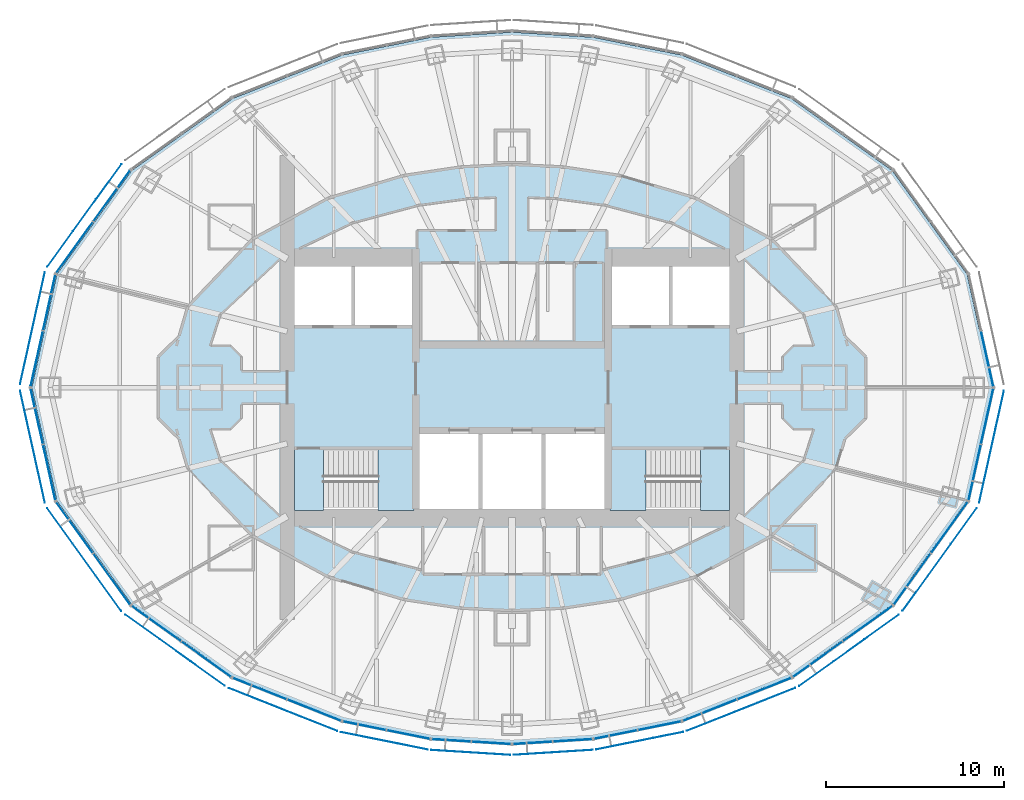
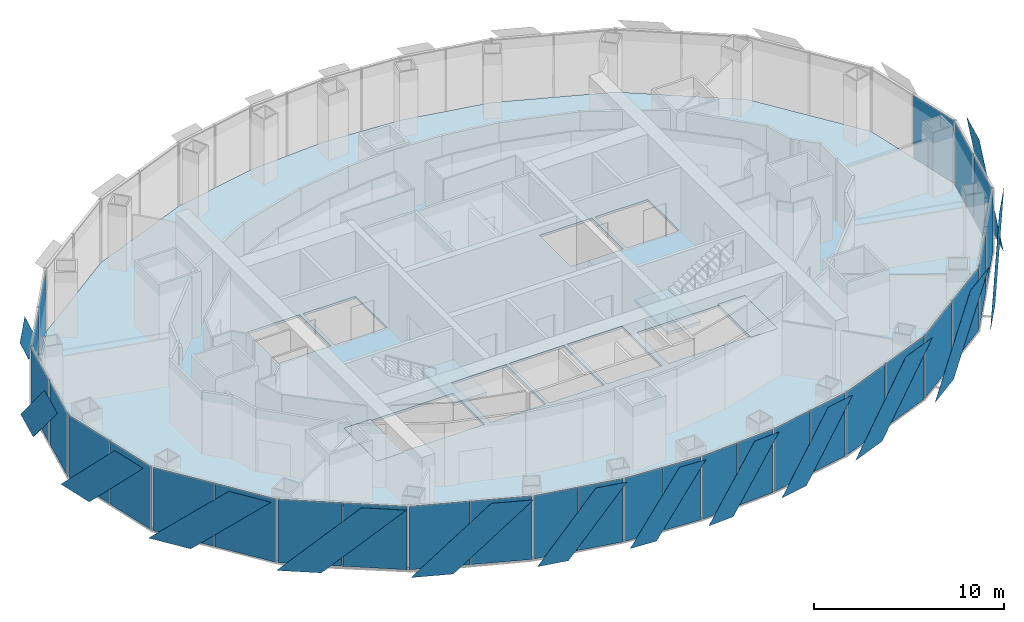
# One storey, part 10 of 17: 43 plates, 5 slabs, 17 elements without a shape of their own.
"""IFC4 building model written with IfcOpenShell, lengths in metres."""

from ifc_helpers import new_model, si_unit, direction, frame, origin, origin_2d, place, context, subcontext, project, spatial, polyline, rectangle, outline, extrude, material, layer, layer_set, type_object, element, aggregate, save


model = new_model("IFC4")

# Units and contexts
model_context = context("Model", 3, precision=1e-05, world=origin(), true_north=direction((0.0, 1.0)))
body_context = subcontext(model_context, "Body", "Model", "MODEL_VIEW")
ifc_project = project(units=[si_unit("LENGTHUNIT", "METRE"), si_unit("AREAUNIT", "SQUARE_METRE"), si_unit("VOLUMEUNIT", "CUBIC_METRE"), si_unit("PLANEANGLEUNIT", "RADIAN"), si_unit("MASSUNIT", "GRAM", prefix="KILO")], contexts=[model_context])

# Site, building, storey
site_placement = place(None, origin())
site = spatial("IfcSite", under=ifc_project, at=site_placement, CompositionType="ELEMENT")
building_placement = place(site_placement, origin())
building = spatial("IfcBuilding", under=site, at=building_placement, Name="Lantaw Convention Tower", CompositionType="ELEMENT")
storey_placement = place(building_placement, frame((0.0, 0.0, 207.39990234375)))
storey = spatial("IfcBuildingStorey", under=building, at=storey_placement, Name="L48", CompositionType="ELEMENT", Elevation=207.39990234375)

# Curtain wall, plate
ifc_material_1 = material(Name="Aluminium framed curtain wall", Category="aluminium")
curtain_wall_type = type_object("IfcCurtainWallType", Name="Office curtain wall high rise, pale aluminium", PredefinedType="USERDEFINED", material=ifc_material_1)
curtain_wall_1_placement = place(storey_placement, origin())
curtain_wall_1 = element("IfcCurtainWall", 1, at=curtain_wall_1_placement, inside=storey, type_object=curtain_wall_type, Name="Office curtain wall high rise, pale aluminium L48", ObjectType="UNITISED CURTAIN WALL", PredefinedType="USERDEFINED")
ifc_material_2 = material(Name="Clear insulating glass", Category="glass")
ifc_layer_1 = layer(ifc_material_2, 0.028076171875)
ifc_layer_set_1 = layer_set([ifc_layer_1], Name="CW-O2 panel 28")
plate_type_1 = type_object("IfcPlateType", Name="CW-O2 panel 28", PredefinedType="CURTAIN_PANEL", material=ifc_layer_set_1)
plate_1_placement = place(storey_placement, frame((26.643798828125, 1.61083984375, -0.0849609375), z_axis=(0.0, 0.0, 1.0), x_axis=(-0.215891333626, 0.976417396437, 0.0)))
plate_1 = element("IfcPlate", 2, at=plate_1_placement, type_object=plate_type_1, Name="CW-O2 panel 1.1", PredefinedType="CURTAIN_PANEL", context=body_context, shape_type="SweptSolid", body=[
    extrude(rectangle(XDim=3.169677734375, YDim=0.028076171875, at=origin_2d()), origin(), (0.0, 0.0, 1.0), 4.070068359375),
])
aggregate(curtain_wall_1, [plate_1])

# Curtain wall, plates
curtain_wall_2_placement = place(storey_placement, origin())
curtain_wall_2 = element("IfcCurtainWall", 3, at=curtain_wall_2_placement, inside=storey, type_object=curtain_wall_type, Name="Office curtain wall high rise, pale aluminium L48", ObjectType="UNITISED CURTAIN WALL", PredefinedType="USERDEFINED")
plate_2_placement = place(storey_placement, frame((-22.4404296875, 10.743896484375, -0.0849609375), z_axis=(0.0, 0.0, 1.0), x_axis=(-0.585157643865, -0.810919559405, 0.0)))
plate_2 = element("IfcPlate", 4, at=plate_2_placement, type_object=plate_type_1, Name="CW-O2 panel 1.1", PredefinedType="CURTAIN_PANEL", context=body_context, shape_type="SweptSolid", body=[
    extrude(rectangle(XDim=3.500732421875, YDim=0.028076171875, at=origin_2d()), origin(), (0.0, 0.0, 1.0), 4.070068359375),
])
plate_3_placement = place(storey_placement, frame((-24.527099609375, 7.852294921875, -0.0849609375), z_axis=(0.0, 0.0, 1.0), x_axis=(-0.585157643865, -0.810919559405, 0.0)))
plate_3 = element("IfcPlate", 5, at=plate_3_placement, type_object=plate_type_1, Name="CW-O2 panel 2.1", PredefinedType="CURTAIN_PANEL", context=body_context, shape_type="SweptSolid", body=[
    extrude(rectangle(XDim=3.500732421875, YDim=0.028076171875, at=origin_2d()), origin(), (0.0, 0.0, 1.0), 4.070068359375),
])
aggregate(curtain_wall_2, [plate_2, plate_3])

curtain_wall_3_placement = place(storey_placement, origin())
curtain_wall_3 = element("IfcCurtainWall", 6, at=curtain_wall_3_placement, inside=storey, type_object=curtain_wall_type, Name="Office curtain wall high rise, pale aluminium L48", ObjectType="UNITISED CURTAIN WALL", PredefinedType="USERDEFINED")
plate_4_placement = place(storey_placement, frame((-25.945556640625, 4.769287109375, -0.0849609375), z_axis=(0.0, 0.0, 1.0), x_axis=(-0.215891333626, -0.976417396437, 0.0)))
plate_4 = element("IfcPlate", 7, at=plate_4_placement, type_object=plate_type_1, Name="CW-O2 panel 1.1", PredefinedType="CURTAIN_PANEL", context=body_context, shape_type="SweptSolid", body=[
    extrude(rectangle(XDim=3.169677734375, YDim=0.028076171875, at=origin_2d()), origin(), (0.0, 0.0, 1.0), 4.070068359375),
])
plate_5_placement = place(storey_placement, frame((-26.643798828125, 1.61083984375, -0.0849609375), z_axis=(0.0, 0.0, 1.0), x_axis=(-0.215891333626, -0.976417396437, 0.0)))
plate_5 = element("IfcPlate", 8, at=plate_5_placement, type_object=plate_type_1, Name="CW-O2 panel 2.1", PredefinedType="CURTAIN_PANEL", context=body_context, shape_type="SweptSolid", body=[
    extrude(rectangle(XDim=3.169677734375, YDim=0.028076171875, at=origin_2d()), origin(), (0.0, 0.0, 1.0), 4.070068359375),
])
aggregate(curtain_wall_3, [plate_4, plate_5])

curtain_wall_4_placement = place(storey_placement, origin())
curtain_wall_4 = element("IfcCurtainWall", 9, at=curtain_wall_4_placement, inside=storey, type_object=curtain_wall_type, Name="Office curtain wall high rise, pale aluminium L48", ObjectType="UNITISED CURTAIN WALL", PredefinedType="USERDEFINED")
plate_6_placement = place(storey_placement, frame((-26.643798828125, -1.61083984375, -0.0849609375), z_axis=(0.0, 0.0, 1.0), x_axis=(0.215891333626, -0.976417396437, 0.0)))
plate_6 = element("IfcPlate", 10, at=plate_6_placement, type_object=plate_type_1, Name="CW-O2 panel 1.1", PredefinedType="CURTAIN_PANEL", context=body_context, shape_type="SweptSolid", body=[
    extrude(rectangle(XDim=3.169677734375, YDim=0.028076171875, at=origin_2d()), origin(), (0.0, 0.0, 1.0), 4.070068359375),
])
plate_7_placement = place(storey_placement, frame((-25.945556640625, -4.769287109375, -0.0849609375), z_axis=(0.0, 0.0, 1.0), x_axis=(0.215891333626, -0.976417396437, 0.0)))
plate_7 = element("IfcPlate", 11, at=plate_7_placement, type_object=plate_type_1, Name="CW-O2 panel 2.1", PredefinedType="CURTAIN_PANEL", context=body_context, shape_type="SweptSolid", body=[
    extrude(rectangle(XDim=3.169677734375, YDim=0.028076171875, at=origin_2d()), origin(), (0.0, 0.0, 1.0), 4.070068359375),
])
aggregate(curtain_wall_4, [plate_6, plate_7])

curtain_wall_5_placement = place(storey_placement, origin())
curtain_wall_5 = element("IfcCurtainWall", 12, at=curtain_wall_5_placement, inside=storey, type_object=curtain_wall_type, Name="Office curtain wall high rise, pale aluminium L48", ObjectType="UNITISED CURTAIN WALL", PredefinedType="USERDEFINED")
plate_8_placement = place(storey_placement, frame((-24.527099609375, -7.852294921875, -0.0849609375), z_axis=(0.0, 0.0, 1.0), x_axis=(0.585157643865, -0.810919559405, 0.0)))
plate_8 = element("IfcPlate", 13, at=plate_8_placement, type_object=plate_type_1, Name="CW-O2 panel 1.1", PredefinedType="CURTAIN_PANEL", context=body_context, shape_type="SweptSolid", body=[
    extrude(rectangle(XDim=3.500732421875, YDim=0.028076171875, at=origin_2d()), origin(), (0.0, 0.0, 1.0), 4.070068359375),
])
plate_9_placement = place(storey_placement, frame((-22.4404296875, -10.743896484375, -0.0849609375), z_axis=(0.0, 0.0, 1.0), x_axis=(0.585157643865, -0.810919559405, 0.0)))
plate_9 = element("IfcPlate", 14, at=plate_9_placement, type_object=plate_type_1, Name="CW-O2 panel 2.1", PredefinedType="CURTAIN_PANEL", context=body_context, shape_type="SweptSolid", body=[
    extrude(rectangle(XDim=3.500732421875, YDim=0.028076171875, at=origin_2d()), origin(), (0.0, 0.0, 1.0), 4.070068359375),
])
aggregate(curtain_wall_5, [plate_8, plate_9])

curtain_wall_6_placement = place(storey_placement, origin())
curtain_wall_6 = element("IfcCurtainWall", 15, at=curtain_wall_6_placement, inside=storey, type_object=curtain_wall_type, Name="Office curtain wall high rise, pale aluminium L48", ObjectType="UNITISED CURTAIN WALL", PredefinedType="USERDEFINED")
plate_10_placement = place(storey_placement, frame((-19.947509765625, -13.23828125, -0.0849609375), z_axis=(0.0, 0.0, 1.0), x_axis=(0.813672540482, -0.581323487281, 0.0)))
plate_10 = element("IfcPlate", 16, at=plate_10_placement, type_object=plate_type_1, Name="CW-O2 panel 1.1", PredefinedType="CURTAIN_PANEL", context=body_context, shape_type="SweptSolid", body=[
    extrude(rectangle(XDim=3.386474609375, YDim=0.028076171875, at=origin_2d()), origin(), (0.0, 0.0, 1.0), 4.070068359375),
])
plate_11_placement = place(storey_placement, frame((-17.13916015625, -15.24462890625, -0.0849609375), z_axis=(0.0, 0.0, 1.0), x_axis=(0.813672540482, -0.581323487281, 0.0)))
plate_11 = element("IfcPlate", 17, at=plate_11_placement, type_object=plate_type_1, Name="CW-O2 panel 2.1", PredefinedType="CURTAIN_PANEL", context=body_context, shape_type="SweptSolid", body=[
    extrude(rectangle(XDim=3.386474609375, YDim=0.028076171875, at=origin_2d()), origin(), (0.0, 0.0, 1.0), 4.070068359375),
])
aggregate(curtain_wall_6, [plate_10, plate_11])

curtain_wall_7_placement = place(storey_placement, origin())
curtain_wall_7 = element("IfcCurtainWall", 18, at=curtain_wall_7_placement, inside=storey, type_object=curtain_wall_type, Name="Office curtain wall high rise, pale aluminium L48", ObjectType="UNITISED CURTAIN WALL", PredefinedType="USERDEFINED")
plate_12_placement = place(storey_placement, frame((-14.14990234375, -16.8837890625, -0.0849609375), z_axis=(0.0, 0.0, 1.0), x_axis=(0.929761533743, -0.368162315252, 0.0)))
plate_12 = element("IfcPlate", 19, at=plate_12_placement, type_object=plate_type_1, Name="CW-O2 panel 1.1", PredefinedType="CURTAIN_PANEL", context=body_context, shape_type="SweptSolid", body=[
    extrude(rectangle(XDim=3.222900390625, YDim=0.028076171875, at=origin_2d()), origin(), (0.0, 0.0, 1.0), 4.070068359375),
])
plate_13_placement = place(storey_placement, frame((-11.0927734375, -18.094482421875, -0.0849609375), z_axis=(0.0, 0.0, 1.0), x_axis=(0.929761533743, -0.368162315252, 0.0)))
plate_13 = element("IfcPlate", 20, at=plate_13_placement, type_object=plate_type_1, Name="CW-O2 panel 2.1", PredefinedType="CURTAIN_PANEL", context=body_context, shape_type="SweptSolid", body=[
    extrude(rectangle(XDim=3.222900390625, YDim=0.028076171875, at=origin_2d()), origin(), (0.0, 0.0, 1.0), 4.070068359375),
])
aggregate(curtain_wall_7, [plate_12, plate_13])

curtain_wall_8_placement = place(storey_placement, origin())
curtain_wall_8 = element("IfcCurtainWall", 21, at=curtain_wall_8_placement, inside=storey, type_object=curtain_wall_type, Name="Office curtain wall high rise, pale aluminium L48", ObjectType="UNITISED CURTAIN WALL", PredefinedType="USERDEFINED")
plate_14_placement = place(storey_placement, frame((-8.2724609375, -18.96533203125, -0.0849609375), z_axis=(0.0, 0.0, 1.0), x_axis=(0.980366679695, -0.197183095987, 0.0)))
plate_14 = element("IfcPlate", 22, at=plate_14_placement, type_object=plate_type_1, Name="CW-O2 panel 1.1", PredefinedType="CURTAIN_PANEL", context=body_context, shape_type="SweptSolid", body=[
    extrude(rectangle(XDim=2.44384765625, YDim=0.028076171875, at=origin_2d()), origin(), (0.0, 0.0, 1.0), 4.070068359375),
])
plate_15_placement = place(storey_placement, frame((-5.81298828125, -19.4599609375, -0.0849609375), z_axis=(0.0, 0.0, 1.0), x_axis=(0.980366679695, -0.197183095987, 0.0)))
plate_15 = element("IfcPlate", 23, at=plate_15_placement, type_object=plate_type_1, Name="CW-O2 panel 2.1", PredefinedType="CURTAIN_PANEL", context=body_context, shape_type="SweptSolid", body=[
    extrude(rectangle(XDim=2.44384765625, YDim=0.028076171875, at=origin_2d()), origin(), (0.0, 0.0, 1.0), 4.070068359375),
])
aggregate(curtain_wall_8, [plate_14, plate_15])

curtain_wall_9_placement = place(storey_placement, origin())
curtain_wall_9 = element("IfcCurtainWall", 24, at=curtain_wall_9_placement, inside=storey, type_object=curtain_wall_type, Name="Office curtain wall high rise, pale aluminium L48", ObjectType="UNITISED CURTAIN WALL", PredefinedType="USERDEFINED")
plate_16_placement = place(storey_placement, frame((-3.397216796875, -19.786376953125, -0.0849609375), z_axis=(0.0, 0.0, 1.0), x_axis=(0.998028774865, -0.062757983884, 0.0)))
plate_16 = element("IfcPlate", 25, at=plate_16_placement, type_object=plate_type_1, Name="CW-O2 panel 1.1", PredefinedType="CURTAIN_PANEL", context=body_context, shape_type="SweptSolid", body=[
    extrude(rectangle(XDim=2.1826171875, YDim=0.028076171875, at=origin_2d()), origin(), (0.0, 0.0, 1.0), 4.070068359375),
])
plate_17_placement = place(storey_placement, frame((-1.154052734375, -19.927490234375, -0.0849609375), z_axis=(0.0, 0.0, 1.0), x_axis=(0.998028774865, -0.062757983884, 0.0)))
plate_17 = element("IfcPlate", 26, at=plate_17_placement, type_object=plate_type_1, Name="CW-O2 panel 2.1", PredefinedType="CURTAIN_PANEL", context=body_context, shape_type="SweptSolid", body=[
    extrude(rectangle(XDim=2.1826171875, YDim=0.028076171875, at=origin_2d()), origin(), (0.0, 0.0, 1.0), 4.070068359375),
])
aggregate(curtain_wall_9, [plate_16, plate_17])

curtain_wall_10_placement = place(storey_placement, origin())
curtain_wall_10 = element("IfcCurtainWall", 27, at=curtain_wall_10_placement, inside=storey, type_object=curtain_wall_type, Name="Office curtain wall high rise, pale aluminium L48", ObjectType="UNITISED CURTAIN WALL", PredefinedType="USERDEFINED")
plate_18_placement = place(storey_placement, frame((1.154052734375, -19.927490234375, -0.0849609375), z_axis=(0.0, 0.0, 1.0), x_axis=(0.998028774865, 0.062757983884, 0.0)))
plate_18 = element("IfcPlate", 28, at=plate_18_placement, type_object=plate_type_1, Name="CW-O2 panel 1.1", PredefinedType="CURTAIN_PANEL", context=body_context, shape_type="SweptSolid", body=[
    extrude(rectangle(XDim=2.1826171875, YDim=0.028076171875, at=origin_2d()), origin(), (0.0, 0.0, 1.0), 4.070068359375),
])
plate_19_placement = place(storey_placement, frame((3.397216796875, -19.786376953125, -0.0849609375), z_axis=(0.0, 0.0, 1.0), x_axis=(0.998028774865, 0.062757983884, 0.0)))
plate_19 = element("IfcPlate", 29, at=plate_19_placement, type_object=plate_type_1, Name="CW-O2 panel 2.1", PredefinedType="CURTAIN_PANEL", context=body_context, shape_type="SweptSolid", body=[
    extrude(rectangle(XDim=2.1826171875, YDim=0.028076171875, at=origin_2d()), origin(), (0.0, 0.0, 1.0), 4.070068359375),
])
aggregate(curtain_wall_10, [plate_18, plate_19])

curtain_wall_11_placement = place(storey_placement, origin())
curtain_wall_11 = element("IfcCurtainWall", 30, at=curtain_wall_11_placement, inside=storey, type_object=curtain_wall_type, Name="Office curtain wall high rise, pale aluminium L48", ObjectType="UNITISED CURTAIN WALL", PredefinedType="USERDEFINED")
plate_20_placement = place(storey_placement, frame((5.81298828125, -19.4599609375, -0.0849609375), z_axis=(0.0, 0.0, 1.0), x_axis=(0.980366679695, 0.197183095987, 0.0)))
plate_20 = element("IfcPlate", 31, at=plate_20_placement, type_object=plate_type_1, Name="CW-O2 panel 1.1", PredefinedType="CURTAIN_PANEL", context=body_context, shape_type="SweptSolid", body=[
    extrude(rectangle(XDim=2.44384765625, YDim=0.028076171875, at=origin_2d()), origin(), (0.0, 0.0, 1.0), 4.070068359375),
])
plate_21_placement = place(storey_placement, frame((8.2724609375, -18.96533203125, -0.0849609375), z_axis=(0.0, 0.0, 1.0), x_axis=(0.980366679695, 0.197183095987, 0.0)))
plate_21 = element("IfcPlate", 32, at=plate_21_placement, type_object=plate_type_1, Name="CW-O2 panel 2.1", PredefinedType="CURTAIN_PANEL", context=body_context, shape_type="SweptSolid", body=[
    extrude(rectangle(XDim=2.44384765625, YDim=0.028076171875, at=origin_2d()), origin(), (0.0, 0.0, 1.0), 4.070068359375),
])
aggregate(curtain_wall_11, [plate_20, plate_21])

curtain_wall_12_placement = place(storey_placement, origin())
curtain_wall_12 = element("IfcCurtainWall", 33, at=curtain_wall_12_placement, inside=storey, type_object=curtain_wall_type, Name="Office curtain wall high rise, pale aluminium L48", ObjectType="UNITISED CURTAIN WALL", PredefinedType="USERDEFINED")
plate_22_placement = place(storey_placement, frame((11.0927734375, -18.094482421875, -0.0849609375), z_axis=(0.0, 0.0, 1.0), x_axis=(0.929761533743, 0.368162315252, 0.0)))
plate_22 = element("IfcPlate", 34, at=plate_22_placement, type_object=plate_type_1, Name="CW-O2 panel 1.1", PredefinedType="CURTAIN_PANEL", context=body_context, shape_type="SweptSolid", body=[
    extrude(rectangle(XDim=3.222900390625, YDim=0.028076171875, at=origin_2d()), origin(), (0.0, 0.0, 1.0), 4.070068359375),
])
plate_23_placement = place(storey_placement, frame((14.14990234375, -16.8837890625, -0.0849609375), z_axis=(0.0, 0.0, 1.0), x_axis=(0.929761533743, 0.368162315252, 0.0)))
plate_23 = element("IfcPlate", 35, at=plate_23_placement, type_object=plate_type_1, Name="CW-O2 panel 2.1", PredefinedType="CURTAIN_PANEL", context=body_context, shape_type="SweptSolid", body=[
    extrude(rectangle(XDim=3.222900390625, YDim=0.028076171875, at=origin_2d()), origin(), (0.0, 0.0, 1.0), 4.070068359375),
])
aggregate(curtain_wall_12, [plate_22, plate_23])

curtain_wall_13_placement = place(storey_placement, origin())
curtain_wall_13 = element("IfcCurtainWall", 36, at=curtain_wall_13_placement, inside=storey, type_object=curtain_wall_type, Name="Office curtain wall high rise, pale aluminium L48", ObjectType="UNITISED CURTAIN WALL", PredefinedType="USERDEFINED")
plate_24_placement = place(storey_placement, frame((17.13916015625, -15.24462890625, -0.0849609375), z_axis=(0.0, 0.0, 1.0), x_axis=(0.813672540482, 0.581323487281, 0.0)))
plate_24 = element("IfcPlate", 37, at=plate_24_placement, type_object=plate_type_1, Name="CW-O2 panel 1.1", PredefinedType="CURTAIN_PANEL", context=body_context, shape_type="SweptSolid", body=[
    extrude(rectangle(XDim=3.386474609375, YDim=0.028076171875, at=origin_2d()), origin(), (0.0, 0.0, 1.0), 4.070068359375),
])
plate_25_placement = place(storey_placement, frame((19.947509765625, -13.23828125, -0.0849609375), z_axis=(0.0, 0.0, 1.0), x_axis=(0.813672540482, 0.581323487281, 0.0)))
plate_25 = element("IfcPlate", 38, at=plate_25_placement, type_object=plate_type_1, Name="CW-O2 panel 2.1", PredefinedType="CURTAIN_PANEL", context=body_context, shape_type="SweptSolid", body=[
    extrude(rectangle(XDim=3.386474609375, YDim=0.028076171875, at=origin_2d()), origin(), (0.0, 0.0, 1.0), 4.070068359375),
])
aggregate(curtain_wall_13, [plate_24, plate_25])

curtain_wall_14_placement = place(storey_placement, origin())
curtain_wall_14 = element("IfcCurtainWall", 39, at=curtain_wall_14_placement, inside=storey, type_object=curtain_wall_type, Name="Office curtain wall high rise, pale aluminium L48", ObjectType="UNITISED CURTAIN WALL", PredefinedType="USERDEFINED")
plate_26_placement = place(storey_placement, frame((22.4404296875, -10.743896484375, -0.0849609375), z_axis=(0.0, 0.0, 1.0), x_axis=(0.585157643865, 0.810919559405, 0.0)))
plate_26 = element("IfcPlate", 40, at=plate_26_placement, type_object=plate_type_1, Name="CW-O2 panel 1.1", PredefinedType="CURTAIN_PANEL", context=body_context, shape_type="SweptSolid", body=[
    extrude(rectangle(XDim=3.500732421875, YDim=0.028076171875, at=origin_2d()), origin(), (0.0, 0.0, 1.0), 4.070068359375),
])
plate_27_placement = place(storey_placement, frame((24.527099609375, -7.852294921875, -0.0849609375), z_axis=(0.0, 0.0, 1.0), x_axis=(0.585157643865, 0.810919559405, 0.0)))
plate_27 = element("IfcPlate", 41, at=plate_27_placement, type_object=plate_type_1, Name="CW-O2 panel 2.1", PredefinedType="CURTAIN_PANEL", context=body_context, shape_type="SweptSolid", body=[
    extrude(rectangle(XDim=3.500732421875, YDim=0.028076171875, at=origin_2d()), origin(), (0.0, 0.0, 1.0), 4.070068359375),
])
aggregate(curtain_wall_14, [plate_26, plate_27])

curtain_wall_15_placement = place(storey_placement, origin())
curtain_wall_15 = element("IfcCurtainWall", 42, at=curtain_wall_15_placement, inside=storey, type_object=curtain_wall_type, Name="Office curtain wall high rise, pale aluminium L48", ObjectType="UNITISED CURTAIN WALL", PredefinedType="USERDEFINED")
plate_28_placement = place(storey_placement, frame((25.945556640625, -4.769287109375, -0.0849609375), z_axis=(0.0, 0.0, 1.0), x_axis=(0.215891333626, 0.976417396437, 0.0)))
plate_28 = element("IfcPlate", 43, at=plate_28_placement, type_object=plate_type_1, Name="CW-O2 panel 1.1", PredefinedType="CURTAIN_PANEL", context=body_context, shape_type="SweptSolid", body=[
    extrude(rectangle(XDim=3.169677734375, YDim=0.028076171875, at=origin_2d()), origin(), (0.0, 0.0, 1.0), 4.070068359375),
])
plate_29_placement = place(storey_placement, frame((26.643798828125, -1.61083984375, -0.0849609375), z_axis=(0.0, 0.0, 1.0), x_axis=(0.215891333626, 0.976417396437, 0.0)))
plate_29 = element("IfcPlate", 44, at=plate_29_placement, type_object=plate_type_1, Name="CW-O2 panel 2.1", PredefinedType="CURTAIN_PANEL", context=body_context, shape_type="SweptSolid", body=[
    extrude(rectangle(XDim=3.169677734375, YDim=0.028076171875, at=origin_2d()), origin(), (0.0, 0.0, 1.0), 4.070068359375),
])
aggregate(curtain_wall_15, [plate_28, plate_29])

# Slab
ifc_material_3 = material(Name="Concrete C35/45", Category="concrete")
ifc_layer_2 = layer(ifc_material_3, 0.14990234375)
ifc_layer_set_2 = layer_set([ifc_layer_2], Name="Floor slab 150")
slab_type_1 = type_object("IfcSlabType", Name="Floor slab 150", PredefinedType="FLOOR", material=ifc_layer_set_2)
slab_1_placement = place(storey_placement, frame((0.0, 0.0, -0.14990234375)))
element("IfcSlab", 45, at=slab_1_placement, inside=storey, type_object=slab_type_1, Name="L48 floor slab", PredefinedType="FLOOR", context=body_context, shape_type="SweptSolid", body=[
    extrude(outline(polyline([(25.51953125, -6.348876953125), (26.923095703125, 0.0), (25.51953125, 6.348876953125), (21.324462890625, 12.162109375), (15.67236328125, 16.2001953125), (9.5126953125, 18.639404296875), (4.54150390625, 19.63916015625), (0.0, 19.9248046875), (-4.54150390625, 19.63916015625), (-9.5126953125, 18.639404296875), (-15.67236328125, 16.2001953125), (-21.324462890625, 12.162109375), (-25.51953125, 6.348876953125), (-26.923095703125, 0.0), (-25.51953125, -6.348876953125), (-21.324462890625, -12.162109375), (-15.67236328125, -16.2001953125), (-9.5126953125, -18.639404296875), (-4.54150390625, -19.63916015625), (0.0, -19.9248046875), (4.54150390625, -19.63916015625), (9.5126953125, -18.639404296875), (15.67236328125, -16.2001953125), (21.324462890625, -12.162109375), (25.51953125, -6.348876953125)]), holes=[polyline([(-5.60009765625, -3.5), (-12.199951171875, -3.5), (-12.199951171875, -6.800048828125), (-5.60009765625, -6.800048828125), (-5.60009765625, -3.5)]), polyline([(12.199951171875, -3.5), (5.60009765625, -3.5), (5.60009765625, -6.800048828125), (12.199951171875, -6.800048828125), (12.199951171875, -3.5)]), polyline([(-1.86669921875, -2.60009765625), (-5.199951171875, -2.60009765625), (-5.199951171875, -6.800048828125), (-1.86669921875, -6.800048828125), (-1.86669921875, -2.60009765625)]), polyline([(1.666748046875, -2.60009765625), (-1.666748046875, -2.60009765625), (-1.666748046875, -6.800048828125), (1.666748046875, -6.800048828125), (1.666748046875, -2.60009765625)]), polyline([(5.199951171875, -2.60009765625), (1.86669921875, -2.60009765625), (1.86669921875, -6.800048828125), (5.199951171875, -6.800048828125), (5.199951171875, -2.60009765625)]), polyline([(-9.0, 6.800048828125), (-12.199951171875, 6.800048828125), (-12.199951171875, 3.5), (-9.0, 3.5), (-9.0, 6.800048828125)]), polyline([(-5.60009765625, 6.800048828125), (-8.800048828125, 6.800048828125), (-8.800048828125, 3.5), (-5.60009765625, 3.5), (-5.60009765625, 6.800048828125)]), polyline([(8.800048828125, 3.5), (8.800048828125, 6.800048828125), (5.60009765625, 6.800048828125), (5.60009765625, 3.5), (8.800048828125, 3.5)]), polyline([(12.199951171875, 3.5), (12.199951171875, 6.800048828125), (9.0, 6.800048828125), (9.0, 3.5), (12.199951171875, 3.5)])]), origin(), (0.0, 0.0, 1.0), 0.14990234375),
])

# Plates
ifc_material_4 = material(Name="Perforated aluminium sheet, pale silver finish", Category="aluminium")
ifc_layer_3 = layer(ifc_material_4, 0.006103515625)
ifc_layer_set_3 = layer_set([ifc_layer_3], Name="Perforated aluminium solar SCREEN panel")
plate_type_2 = type_object("IfcPlateType", Name="Perforated aluminium solar SCREEN panel", PredefinedType="SHEET", material=ifc_layer_set_3)
plate_30_placement = place(storey_placement, frame((-21.898681640625, 12.530029296875, -0.1748046875), z_axis=(-0.810892289695, 0.585195432394, 2.0459565e-05), x_axis=(-0.585195432516, -0.810892289865, 0.0)))
element("IfcPlate", 46, at=plate_30_placement, inside=storey, type_object=plate_type_2, Name="Solar SCREEN panel", PredefinedType="SHEET", context=body_context, shape_type="SweptSolid", body=[
    extrude(outline(polyline([(0.0, 0.0), (2.4468488406832853, 0.0), (7.096610466675719, 4.339843750908316), (4.649761625992434, 4.339843750908316), (0.0, 0.0)])), origin(), (0.0, 0.0, -1.0), 0.006103515625),
])
plate_31_placement = place(storey_placement, frame((-26.19189453125, 6.462158203125, -0.1748046875), z_axis=(0.976429511424, -0.215836529031, 4.4221925e-05), x_axis=(-0.215836529242, -0.976429512379, 0.0)))
element("IfcPlate", 47, at=plate_31_placement, inside=storey, type_object=plate_type_2, Name="Solar SCREEN panel", PredefinedType="SHEET", context=body_context, shape_type="SweptSolid", body=[
    extrude(outline(polyline([(0.0, 0.0), (2.2215525295212517, -3.3881317890172014e-21), (6.4341686174090675, -4.339843754243453), (4.212616087887817, -4.339843754243453), (0.0, 0.0)])), origin(), (0.0, 0.0, -1.0), 0.006103515625),
])
plate_32_placement = place(storey_placement, frame((-27.580810546875, -0.1796875, -0.1748046875), z_axis=(-0.976429511424, -0.215836529031, 4.4221925e-05), x_axis=(0.215836529242, -0.976429512379, 0.0)))
element("IfcPlate", 48, at=plate_32_placement, inside=storey, type_object=plate_type_2, Name="Solar SCREEN panel", PredefinedType="SHEET", context=body_context, shape_type="SweptSolid", body=[
    extrude(outline(polyline([(0.0, 0.0), (2.2215525295212517, 3.3881317890172014e-21), (6.4341686174090675, 4.339843754243453), (4.212616087887817, 4.339843754243453), (0.0, 0.0)])), origin(), (0.0, 0.0, -1.0), 0.006103515625),
])
plate_33_placement = place(storey_placement, frame((-26.051513671875, -6.775390625, -0.1748046875), z_axis=(0.810892289695, 0.585195432394, 2.0459565e-05), x_axis=(0.585195432516, -0.810892289865, 0.0)))
element("IfcPlate", 49, at=plate_33_placement, inside=storey, type_object=plate_type_2, Name="Solar SCREEN panel", PredefinedType="SHEET", context=body_context, shape_type="SweptSolid", body=[
    extrude(outline(polyline([(0.0, 0.0), (2.4468488406832853, 0.0), (7.096610466675719, -4.339843750908316), (4.649761625992434, -4.339843750908316), (0.0, 0.0)])), origin(), (0.0, 0.0, -1.0), 0.006103515625),
])
plate_34_placement = place(storey_placement, frame((-21.689697265625, -12.73828125, -0.1748046875), z_axis=(-0.581330799771, -0.813667316006, 1.0072981e-05), x_axis=(0.813667316047, -0.5813307998, 3.02e-10)))
element("IfcPlate", 50, at=plate_34_placement, inside=storey, type_object=plate_type_2, Name="Solar SCREEN panel", PredefinedType="SHEET", context=body_context, shape_type="SweptSolid", body=[
    extrude(outline(polyline([(0.0, 0.0), (2.36914164286685, -1.6940658945086007e-21), (6.867806096558412, 4.339843748148034), (4.498863102938643, 4.3398437495775966), (0.0, 0.0)])), origin(), (0.0, 0.0, -1.0), 0.006103515625),
])
plate_35_placement = place(storey_placement, frame((-15.88525390625, -16.8486328125, -0.1748046875), z_axis=(0.368116612072, 0.929779629081, 3.5535267e-05), x_axis=(0.929779629668, -0.368116612304, -1.786e-09)))
element("IfcPlate", 51, at=plate_35_placement, inside=storey, type_object=plate_type_2, Name="Solar SCREEN panel", PredefinedType="SHEET", context=body_context, shape_type="SweptSolid", body=[
    extrude(outline(polyline([(0.0, 0.0), (2.2578720663572183, -6.776263578034403e-21), (6.540904465438181, -4.339843764423989), (4.282942526861161, -4.33984375635743), (0.0, 0.0)])), origin(), (0.0, 0.0, -1.0), 0.006103515625),
])
plate_36_placement = place(storey_placement, frame((-9.6044921875, -19.315673828125, -0.1748046875), z_axis=(0.197162069853, 0.980370908428, 1.0904697e-05), x_axis=(0.980370908486, -0.197162069865, -7.55e-10)))
element("IfcPlate", 52, at=plate_36_placement, inside=storey, type_object=plate_type_2, Name="Solar SCREEN panel", PredefinedType="SHEET", context=body_context, shape_type="SweptSolid", body=[
    extrude(outline(polyline([(0.0, 0.0), (1.7279870169553606, 0.0), (4.982578440602753, -4.339843754020975), (3.2545432883764285, -4.339843751410917), (0.0, 0.0)])), origin(), (0.0, 0.0, -1.0), 0.006103515625),
])
plate_37_placement = place(storey_placement, frame((-4.539306640625, -20.32177734375, -0.1748046875), z_axis=(0.062672387577, 0.998034151922, 5.8589976e-05), x_axis=(0.998034153635, -0.062672387685, 0.0)))
element("IfcPlate", 53, at=plate_37_placement, inside=storey, type_object=plate_type_2, Name="Solar SCREEN panel", PredefinedType="SHEET", context=body_context, shape_type="SweptSolid", body=[
    extrude(outline(polyline([(0.0, 0.0), (1.5504111513762302, 8.470329472543003e-22), (4.460200019412434, -4.339843757448876), (2.9097888680362036, -4.339843757448876), (0.0, 0.0)])), origin(), (0.0, 0.0, -1.0), 0.006103515625),
])
plate_38_placement = place(storey_placement, frame((0.087890625, -20.6015625, -0.1748046875), z_axis=(0.062672387577, -0.998034151922, 5.8589976e-05), x_axis=(0.998034153635, 0.062672387685, 0.0)))
element("IfcPlate", 54, at=plate_38_placement, inside=storey, type_object=plate_type_2, Name="Solar SCREEN panel", PredefinedType="SHEET", context=body_context, shape_type="SweptSolid", body=[
    extrude(outline(polyline([(0.0, 0.0), (1.5504111513762302, -8.470329472543003e-22), (4.460200019412434, 4.339843757448876), (2.9097888680362036, 4.339843757448876), (0.0, 0.0)])), origin(), (0.0, 0.0, -1.0), 0.006103515625),
])
plate_39_placement = place(storey_placement, frame((4.7197265625, -20.298095703125, -0.1748046875), z_axis=(0.197162069853, -0.980370908428, 1.0904697e-05), x_axis=(0.980370908486, 0.197162069865, 7.55e-10)))
element("IfcPlate", 55, at=plate_39_placement, inside=storey, type_object=plate_type_2, Name="Solar SCREEN panel", PredefinedType="SHEET", context=body_context, shape_type="SweptSolid", body=[
    extrude(outline(polyline([(0.0, 0.0), (1.7280351522263238, 0.0), (4.982578447157737, 4.339843746495192), (3.2545914302023755, 4.339843749105177), (0.0, 0.0)])), origin(), (0.0, 0.0, -1.0), 0.006103515625),
])
plate_40_placement = place(storey_placement, frame((9.8037109375, -19.256591796875, -0.1748046875), z_axis=(0.368116612072, -0.929779629081, 3.5535267e-05), x_axis=(0.929779629668, 0.368116612304, 1.786e-09)))
element("IfcPlate", 56, at=plate_40_placement, inside=storey, type_object=plate_type_2, Name="Solar SCREEN panel", PredefinedType="SHEET", context=body_context, shape_type="SweptSolid", body=[
    extrude(outline(polyline([(0.0, 0.0), (2.257961938577019, 6.776263578034403e-21), (6.540904480942253, 4.339843741056637), (4.283032414585034, 4.339843749122875), (0.0, 0.0)])), origin(), (0.0, 0.0, -1.0), 0.006103515625),
])
plate_41_placement = place(storey_placement, frame((16.1015625, -16.730712890625, -0.1748046875), z_axis=(-0.581330799771, 0.813667316006, 1.0072981e-05), x_axis=(0.813667316047, 0.5813307998, -3.02e-10)))
element("IfcPlate", 57, at=plate_41_placement, inside=storey, type_object=plate_type_2, Name="Solar SCREEN panel", PredefinedType="SHEET", context=body_context, shape_type="SweptSolid", body=[
    extrude(outline(polyline([(0.0, 0.0), (2.3689429936197683, -1.6940658945086007e-21), (6.867806093939489, -4.339843752292481), (4.498664451072639, -4.339843750862799), (0.0, 0.0)])), origin(), (0.0, 0.0, -1.0), 0.006103515625),
])
plate_42_placement = place(storey_placement, frame((21.898681640625, -12.530029296875, -0.1748046875), z_axis=(0.810892289695, -0.585195432394, 2.0459565e-05), x_axis=(0.585195432516, 0.810892289865, 0.0)))
element("IfcPlate", 58, at=plate_42_placement, inside=storey, type_object=plate_type_2, Name="Solar SCREEN panel", PredefinedType="SHEET", context=body_context, shape_type="SweptSolid", body=[
    extrude(outline(polyline([(0.0, 0.0), (2.4468488406832853, 0.0), (7.096610466675719, 4.339843750908316), (4.649761625992434, 4.339843750908316), (0.0, 0.0)])), origin(), (0.0, 0.0, -1.0), 0.006103515625),
])
plate_43_placement = place(storey_placement, frame((26.19189453125, -6.462158203125, -0.1748046875), z_axis=(-0.976429511424, 0.215836529031, 4.4221925e-05), x_axis=(0.215836529242, 0.976429512379, 0.0)))
element("IfcPlate", 59, at=plate_43_placement, inside=storey, type_object=plate_type_2, Name="Solar SCREEN panel", PredefinedType="SHEET", context=body_context, shape_type="SweptSolid", body=[
    extrude(outline(polyline([(0.0, 0.0), (2.2215525295212517, -3.3881317890172014e-21), (6.4341686174090675, -4.339843754243453), (4.212616087887817, -4.339843754243453), (0.0, 0.0)])), origin(), (0.0, 0.0, -1.0), 0.006103515625),
])

# Stair, slabs
stair_type = type_object("IfcStairType", Name="Exit stair 1500 riser 175 in 2 flights", PredefinedType="HALF_TURN_STAIR", material=ifc_material_3)
stair_1_placement = place(storey_placement, origin())
stair_1 = element("IfcStair", 60, at=stair_1_placement, inside=storey, type_object=stair_type, Name="Exit stair S1 L48", PredefinedType="HALF_TURN_STAIR")
ifc_layer_4 = layer(ifc_material_3, 0.199951171875)
ifc_layer_set_4 = layer_set([ifc_layer_4], Name="Stair landing 200")
slab_type_2 = type_object("IfcSlabType", Name="Stair landing 200", PredefinedType="LANDING", material=ifc_layer_set_4)
slab_2_placement = place(storey_placement, frame((0.0, 0.0, -0.199951171875)))
slab_2 = element("IfcSlab", 61, at=slab_2_placement, type_object=slab_type_2, Name="S1 landing 1", PredefinedType="LANDING", context=body_context, shape_type="SweptSolid", body=[
    extrude(outline(polyline([(-12.199951171875, -6.89990234375), (-10.580078125, -6.89990234375), (-10.580078125, -3.39990234375), (-12.199951171875, -3.39990234375), (-12.199951171875, -6.89990234375)])), origin(), (0.0, 0.0, 1.0), 0.199951171875),
])
slab_3_placement = place(storey_placement, frame((0.0, 0.0, 1.900146484375)))
slab_3 = element("IfcSlab", 62, at=slab_3_placement, type_object=slab_type_2, Name="S1 landing 2", PredefinedType="LANDING", context=body_context, shape_type="SweptSolid", body=[
    extrude(outline(polyline([(-7.5, -6.89990234375), (-5.5, -6.89990234375), (-5.5, -3.39990234375), (-7.5, -3.39990234375), (-7.5, -6.89990234375)])), origin(), (0.0, 0.0, 1.0), 0.199951171875),
])
aggregate(stair_1, [slab_2, slab_3])

stair_2_placement = place(storey_placement, origin())
stair_2 = element("IfcStair", 63, at=stair_2_placement, inside=storey, type_object=stair_type, Name="Exit stair S2 L48", PredefinedType="HALF_TURN_STAIR")
slab_4_placement = place(storey_placement, frame((0.0, 0.0, -0.199951171875)))
slab_4 = element("IfcSlab", 64, at=slab_4_placement, type_object=slab_type_2, Name="S2 landing 1", PredefinedType="LANDING", context=body_context, shape_type="SweptSolid", body=[
    extrude(outline(polyline([(10.580078125, -6.89990234375), (12.199951171875, -6.89990234375), (12.199951171875, -3.39990234375), (10.580078125, -3.39990234375), (10.580078125, -6.89990234375)])), origin(), (0.0, 0.0, 1.0), 0.199951171875),
])
slab_5_placement = place(storey_placement, frame((0.0, 0.0, 1.900146484375)))
slab_5 = element("IfcSlab", 65, at=slab_5_placement, type_object=slab_type_2, Name="S2 landing 2", PredefinedType="LANDING", context=body_context, shape_type="SweptSolid", body=[
    extrude(outline(polyline([(5.5, -6.89990234375), (7.5, -6.89990234375), (7.5, -3.39990234375), (5.5, -3.39990234375), (5.5, -6.89990234375)])), origin(), (0.0, 0.0, 1.0), 0.199951171875),
])
aggregate(stair_2, [slab_4, slab_5])

save(model, "model.ifc")
